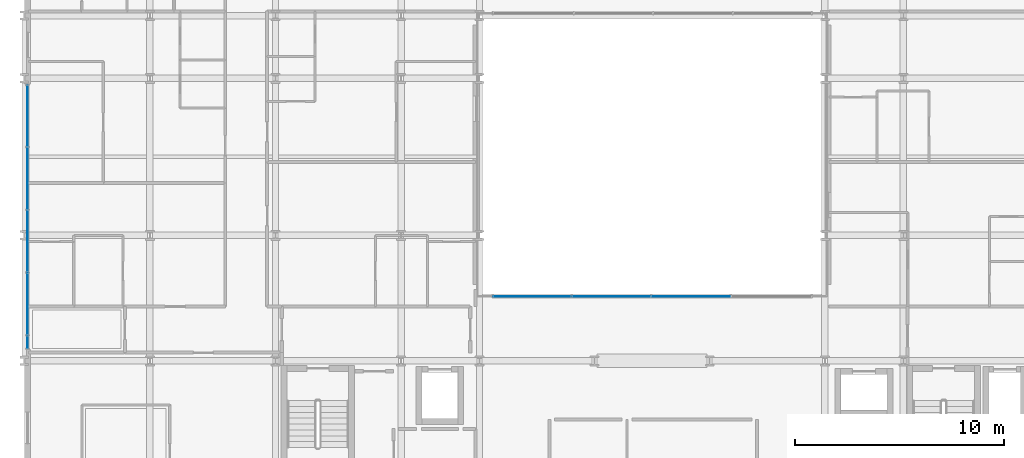
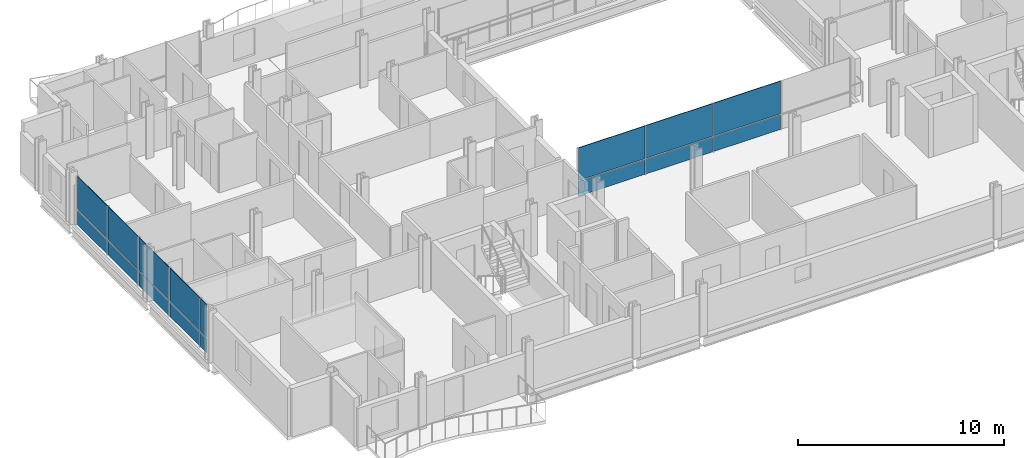
# One storey, part 26 of 41: 16 plates, 2 elements without a shape of their own.
"""IFC4 building model written with IfcOpenShell, lengths in metres."""

from ifc_helpers import new_model, si_unit, direction, frame, origin, origin_2d, place, context, subcontext, project, spatial, rectangle, extrude, material, layer, layer_set, type_object, element, aggregate, save


model = new_model("IFC4")

# Units and contexts
model_context = context("Model", 3, precision=1e-05, world=origin(), true_north=direction((0.0, 1.0)))
body_context = subcontext(model_context, "Body", "Model", "MODEL_VIEW")
ifc_project = project(units=[si_unit("LENGTHUNIT", "METRE"), si_unit("AREAUNIT", "SQUARE_METRE"), si_unit("VOLUMEUNIT", "CUBIC_METRE"), si_unit("PLANEANGLEUNIT", "RADIAN"), si_unit("MASSUNIT", "GRAM", prefix="KILO")], contexts=[model_context])

# Site, building, storey
site_placement = place(None, origin())
site = spatial("IfcSite", under=ifc_project, at=site_placement, CompositionType="ELEMENT")
building_placement = place(site_placement, origin())
building = spatial("IfcBuilding", under=site, at=building_placement, Name="Brevholm Reach", CompositionType="ELEMENT")
storey_placement = place(building_placement, frame((0.0, 0.0, 55.89990234375)))
storey = spatial("IfcBuildingStorey", under=building, at=storey_placement, Name="L15", CompositionType="ELEMENT", Elevation=55.89990234375)

# Curtain wall, plates
ifc_material_1 = material(Name="Dark Anodised Aluminium 6063-T6 and Solar-Control Glass", Category="aluminium")
ifc_layer_1 = layer(ifc_material_1, 0.14990234375)
ifc_layer_set_1 = layer_set([ifc_layer_1], Name="Dark Anodised Aluminium 6063-T6 and Solar-Control Glass")
curtain_wall_type_1 = type_object("IfcCurtainWallType", Name="CW-01", PredefinedType="NOTDEFINED", material=ifc_layer_set_1)
curtain_wall_1_placement = place(storey_placement, origin())
curtain_wall_1 = element("IfcCurtainWall", 1, at=curtain_wall_1_placement, inside=storey, type_object=curtain_wall_type_1, Name="L15 Curtain Wall CW-01", PredefinedType="NOTDEFINED")
ifc_material_2 = material(Name="Dark Solar-Control Double-Glazed IGU Glass", Category="glass")
ifc_layer_2 = layer(ifc_material_2, 0.028076171875)
ifc_layer_set_2 = layer_set([ifc_layer_2], Name="Dark Solar-Control Double-Glazed IGU Glass")
plate_type_1 = type_object("IfcPlateType", Name="CWP-GLZ-28", PredefinedType="CURTAIN_PANEL", material=ifc_layer_set_2)
plate_1_placement = place(storey_placement, frame((0.14990234375, 21.703857421875, 0.0), z_axis=(0.0, 0.0, 1.0), x_axis=(0.0, -1.0, 0.0)))
plate_1 = element("IfcPlate", 2, at=plate_1_placement, type_object=plate_type_1, Name="CP-01 Glazing Panel 1.1", PredefinedType="CURTAIN_PANEL", context=body_context, shape_type="SweptSolid", body=[
    extrude(rectangle(XDim=2.902587890625, YDim=0.028076171875, at=origin_2d()), origin(), (0.0, 0.0, 1.0), 0.867431640625),
])
plate_2_placement = place(storey_placement, frame((0.14990234375, 21.703857421875, 0.9326171875), z_axis=(0.0, 0.0, 1.0), x_axis=(0.0, -1.0, 0.0)))
plate_2 = element("IfcPlate", 3, at=plate_2_placement, type_object=plate_type_1, Name="CP-01 Glazing Panel 1.2", PredefinedType="CURTAIN_PANEL", context=body_context, shape_type="SweptSolid", body=[
    extrude(rectangle(XDim=2.902587890625, YDim=0.028076171875, at=origin_2d()), origin(), (0.0, 0.0, 1.0), 1.9375),
])
plate_3_placement = place(storey_placement, frame((0.14990234375, 18.719970703125, 0.0), z_axis=(0.0, 0.0, 1.0), x_axis=(0.0, -1.0, 0.0)))
plate_3 = element("IfcPlate", 4, at=plate_3_placement, type_object=plate_type_1, Name="CP-01 Glazing Panel 2.1", PredefinedType="CURTAIN_PANEL", context=body_context, shape_type="SweptSolid", body=[
    extrude(rectangle(XDim=2.93505859375, YDim=0.028076171875, at=origin_2d()), origin(), (0.0, 0.0, 1.0), 0.867431640625),
])
plate_4_placement = place(storey_placement, frame((0.14990234375, 18.719970703125, 0.9326171875), z_axis=(0.0, 0.0, 1.0), x_axis=(0.0, -1.0, 0.0)))
plate_4 = element("IfcPlate", 5, at=plate_4_placement, type_object=plate_type_1, Name="CP-01 Glazing Panel 2.2", PredefinedType="CURTAIN_PANEL", context=body_context, shape_type="SweptSolid", body=[
    extrude(rectangle(XDim=2.93505859375, YDim=0.028076171875, at=origin_2d()), origin(), (0.0, 0.0, 1.0), 1.9375),
])
plate_5_placement = place(storey_placement, frame((0.14990234375, 15.719970703125, 0.0), z_axis=(0.0, 0.0, 1.0), x_axis=(0.0, -1.0, 0.0)))
plate_5 = element("IfcPlate", 6, at=plate_5_placement, type_object=plate_type_1, Name="CP-01 Glazing Panel 3.1", PredefinedType="CURTAIN_PANEL", context=body_context, shape_type="SweptSolid", body=[
    extrude(rectangle(XDim=2.93505859375, YDim=0.028076171875, at=origin_2d()), origin(), (0.0, 0.0, 1.0), 0.867431640625),
])
plate_6_placement = place(storey_placement, frame((0.14990234375, 15.719970703125, 0.9326171875), z_axis=(0.0, 0.0, 1.0), x_axis=(0.0, -1.0, 0.0)))
plate_6 = element("IfcPlate", 7, at=plate_6_placement, type_object=plate_type_1, Name="CP-01 Glazing Panel 3.2", PredefinedType="CURTAIN_PANEL", context=body_context, shape_type="SweptSolid", body=[
    extrude(rectangle(XDim=2.93505859375, YDim=0.028076171875, at=origin_2d()), origin(), (0.0, 0.0, 1.0), 1.9375),
])
plate_7_placement = place(storey_placement, frame((0.14990234375, 12.719970703125, 0.0), z_axis=(0.0, 0.0, 1.0), x_axis=(0.0, -1.0, 0.0)))
plate_7 = element("IfcPlate", 8, at=plate_7_placement, type_object=plate_type_1, Name="CP-01 Glazing Panel 4.1", PredefinedType="CURTAIN_PANEL", context=body_context, shape_type="SweptSolid", body=[
    extrude(rectangle(XDim=2.93505859375, YDim=0.028076171875, at=origin_2d()), origin(), (0.0, 0.0, 1.0), 0.867431640625),
])
plate_8_placement = place(storey_placement, frame((0.14990234375, 12.719970703125, 0.9326171875), z_axis=(0.0, 0.0, 1.0), x_axis=(0.0, -1.0, 0.0)))
plate_8 = element("IfcPlate", 9, at=plate_8_placement, type_object=plate_type_1, Name="CP-01 Glazing Panel 4.2", PredefinedType="CURTAIN_PANEL", context=body_context, shape_type="SweptSolid", body=[
    extrude(rectangle(XDim=2.93505859375, YDim=0.028076171875, at=origin_2d()), origin(), (0.0, 0.0, 1.0), 1.9375),
])
plate_9_placement = place(storey_placement, frame((0.14990234375, 10.9013671875, 0.0), z_axis=(0.0, 0.0, 1.0), x_axis=(0.0, -1.0, 0.0)))
plate_9 = element("IfcPlate", 10, at=plate_9_placement, type_object=plate_type_1, Name="CP-01 Glazing Panel 5.1", PredefinedType="CURTAIN_PANEL", context=body_context, shape_type="SweptSolid", body=[
    extrude(rectangle(XDim=0.572509765625, YDim=0.028076171875, at=origin_2d()), origin(), (0.0, 0.0, 1.0), 0.867431640625),
])
plate_10_placement = place(storey_placement, frame((0.14990234375, 10.9013671875, 0.9326171875), z_axis=(0.0, 0.0, 1.0), x_axis=(0.0, -1.0, 0.0)))
plate_10 = element("IfcPlate", 11, at=plate_10_placement, type_object=plate_type_1, Name="CP-01 Glazing Panel 5.2", PredefinedType="CURTAIN_PANEL", context=body_context, shape_type="SweptSolid", body=[
    extrude(rectangle(XDim=0.572509765625, YDim=0.028076171875, at=origin_2d()), origin(), (0.0, 0.0, 1.0), 1.9375),
])
aggregate(curtain_wall_1, [plate_1, plate_2, plate_3, plate_4, plate_5, plate_6, plate_7, plate_8, plate_9, plate_10])

ifc_material_3 = material(Name="Dark Anodised Aluminium 6063-T6 and Solar-Control Glass", Category="aluminium")
ifc_layer_3 = layer(ifc_material_3, 0.139892578125)
ifc_layer_set_3 = layer_set([ifc_layer_3], Name="Dark Anodised Aluminium 6063-T6 and Solar-Control Glass")
curtain_wall_type_2 = type_object("IfcCurtainWallType", Name="CW-02", PredefinedType="NOTDEFINED", material=ifc_layer_set_3)
curtain_wall_2_placement = place(storey_placement, origin())
curtain_wall_2 = element("IfcCurtainWall", 12, at=curtain_wall_2_placement, inside=storey, type_object=curtain_wall_type_2, Name="L15 Curtain Wall CW-02", PredefinedType="NOTDEFINED")
ifc_material_4 = material(Name="Low-Iron Laminated Acoustic Glass", Category="glass")
ifc_layer_4 = layer(ifc_material_4, 0.035888671875)
ifc_layer_set_4 = layer_set([ifc_layer_4], Name="Low-Iron Laminated Acoustic Glass")
plate_type_2 = type_object("IfcPlateType", Name="CWP-GLZ-36", PredefinedType="CURTAIN_PANEL", material=ifc_layer_set_4)
plate_11_placement = place(storey_placement, frame((24.264892578125, 13.080078125, 0.0), z_axis=(0.0, 0.0, 1.0), x_axis=(1.0, 0.0, 0.0)))
plate_11 = element("IfcPlate", 13, at=plate_11_placement, type_object=plate_type_2, Name="CP-02 Glazing Panel 1.1", PredefinedType="CURTAIN_PANEL", context=body_context, shape_type="SweptSolid", body=[
    extrude(rectangle(XDim=3.7099609375, YDim=0.035888671875, at=origin_2d()), origin(), (0.0, 0.0, 1.0), 0.8701171875),
])
plate_12_placement = place(storey_placement, frame((24.264892578125, 13.080078125, 0.93017578125), z_axis=(0.0, 0.0, 1.0), x_axis=(1.0, 0.0, 0.0)))
plate_12 = element("IfcPlate", 14, at=plate_12_placement, type_object=plate_type_2, Name="CP-02 Glazing Panel 1.2", PredefinedType="CURTAIN_PANEL", context=body_context, shape_type="SweptSolid", body=[
    extrude(rectangle(XDim=3.7099609375, YDim=0.035888671875, at=origin_2d()), origin(), (0.0, 0.0, 1.0), 1.93994140625),
])
plate_13_placement = place(storey_placement, frame((28.050048828125, 13.080078125, 0.0), z_axis=(0.0, 0.0, 1.0), x_axis=(1.0, 0.0, 0.0)))
plate_13 = element("IfcPlate", 15, at=plate_13_placement, type_object=plate_type_2, Name="CP-02 Glazing Panel 2.1", PredefinedType="CURTAIN_PANEL", context=body_context, shape_type="SweptSolid", body=[
    extrude(rectangle(XDim=3.739990234375, YDim=0.035888671875, at=origin_2d()), origin(), (0.0, 0.0, 1.0), 0.8701171875),
])
plate_14_placement = place(storey_placement, frame((28.050048828125, 13.080078125, 0.93017578125), z_axis=(0.0, 0.0, 1.0), x_axis=(1.0, 0.0, 0.0)))
plate_14 = element("IfcPlate", 16, at=plate_14_placement, type_object=plate_type_2, Name="CP-02 Glazing Panel 2.2", PredefinedType="CURTAIN_PANEL", context=body_context, shape_type="SweptSolid", body=[
    extrude(rectangle(XDim=3.739990234375, YDim=0.035888671875, at=origin_2d()), origin(), (0.0, 0.0, 1.0), 1.93994140625),
])
plate_15_placement = place(storey_placement, frame((31.85009765625, 13.080078125, 0.0), z_axis=(0.0, 0.0, 1.0), x_axis=(1.0, 0.0, 0.0)))
plate_15 = element("IfcPlate", 17, at=plate_15_placement, type_object=plate_type_2, Name="CP-02 Glazing Panel 3.1", PredefinedType="CURTAIN_PANEL", context=body_context, shape_type="SweptSolid", body=[
    extrude(rectangle(XDim=3.739990234375, YDim=0.035888671875, at=origin_2d()), origin(), (0.0, 0.0, 1.0), 0.8701171875),
])
plate_16_placement = place(storey_placement, frame((31.85009765625, 13.080078125, 0.93017578125), z_axis=(0.0, 0.0, 1.0), x_axis=(1.0, 0.0, 0.0)))
plate_16 = element("IfcPlate", 18, at=plate_16_placement, type_object=plate_type_2, Name="CP-02 Glazing Panel 3.2", PredefinedType="CURTAIN_PANEL", context=body_context, shape_type="SweptSolid", body=[
    extrude(rectangle(XDim=3.739990234375, YDim=0.035888671875, at=origin_2d()), origin(), (0.0, 0.0, 1.0), 1.93994140625),
])
aggregate(curtain_wall_2, [plate_11, plate_12, plate_13, plate_14, plate_15, plate_16])

save(model, "model.ifc")
